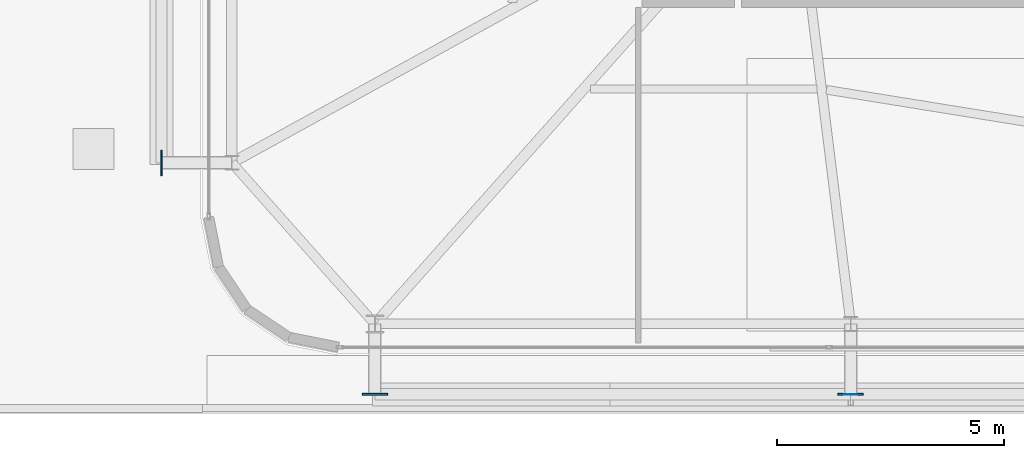
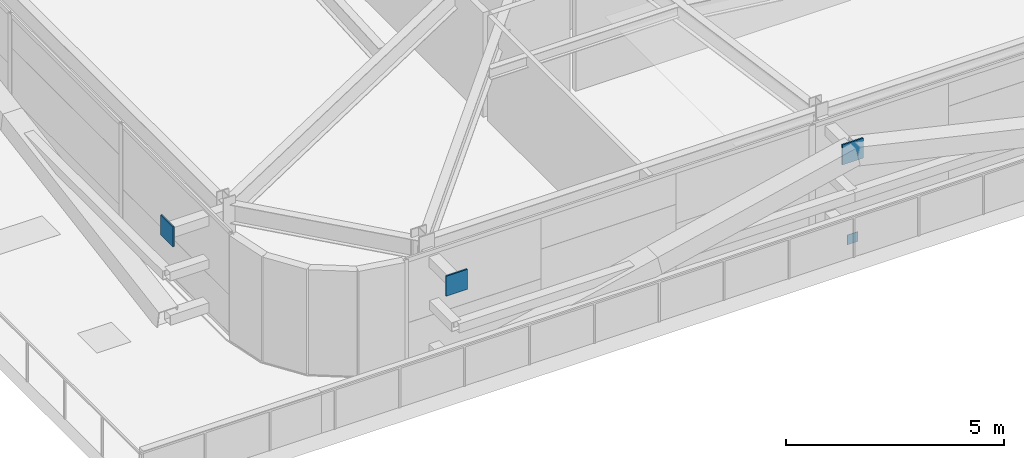
# One storey, part 41 of 56: 4 plates.
"""IFC4 building model written with IfcOpenShell, lengths in metres."""

from ifc_helpers import new_model, si_unit, direction, frame, origin, origin_2d, place, context, subcontext, project, spatial, rectangle, extrude, source, transform, mapped, material, layer, layer_set, type_object, element, save


model = new_model("IFC4")

# Units and contexts
model_context = context("Model", 3, precision=1e-05, world=origin(), true_north=direction((0.0, 1.0)))
body_context = subcontext(model_context, "Body", "Model", "MODEL_VIEW")
ifc_project = project(units=[si_unit("LENGTHUNIT", "METRE"), si_unit("AREAUNIT", "SQUARE_METRE"), si_unit("VOLUMEUNIT", "CUBIC_METRE"), si_unit("PLANEANGLEUNIT", "RADIAN"), si_unit("MASSUNIT", "GRAM", prefix="KILO")], contexts=[model_context])

# Site, building, storey
site_placement = place(None, origin())
site = spatial("IfcSite", under=ifc_project, at=site_placement, CompositionType="ELEMENT")
building_placement = place(site_placement, origin())
building = spatial("IfcBuilding", under=site, at=building_placement, Name="Taldren Reach Tower", CompositionType="ELEMENT")
storey_placement = place(building_placement, frame((0.0, 0.0, 16.800048828125)))
storey = spatial("IfcBuildingStorey", under=building, at=storey_placement, Name="L04", CompositionType="ELEMENT", Elevation=16.800048828125)

# Plates
ifc_material = material(Name="Steel Gr 450 (C450L0)", Category="steel")
ifc_layer_1 = layer(ifc_material, 0.0400390625)
ifc_layer_set_1 = layer_set([ifc_layer_1], Name="Steel Gr 450 (C450L0)")
plate_type_1 = type_object("IfcPlateType", Name="PL-GUSSET-40", PredefinedType="SHEET", material=ifc_layer_set_1)
shared_shape_1 = source(origin(), body_context, "Body", "SweptSolid", [
    extrude(rectangle(XDim=0.56005859375, YDim=0.0400390625, at=origin_2d()), origin(), (0.0, 0.0, 1.0), 0.56005859375),
])
for number, where, z_axis, x_axis, name in (
    (1, (8.800048828125, 0.60009765625, 2.369873046875), (0.0, 0.0, 1.0), (1.0, 0.0, 0.0), "Exoskeleton star-node gusset plate B1-S1 L04"),
    (2, (19.280029296875, 0.60009765625, 2.369873046875), (0.0, 0.0, 1.0), (1.0, 0.0, 0.0), "Exoskeleton star-node gusset plate B1-S2 L04"),
    (3, (4.10009765625, 5.699951171875, 2.369873046875), (0.0, 0.0, 1.0), (0.0, 1.0, 0.0), "Exoskeleton star-node gusset plate B1-W1 L04"),
):
    element("IfcPlate", number, at=place(storey_placement, frame(where, z_axis=z_axis, x_axis=x_axis)), inside=storey, type_object=plate_type_1, Name=name, PredefinedType="SHEET", context=body_context, shape_type="MappedRepresentation", body=[
        mapped(shared_shape_1, transform((0.0, 0.0, 0.0), scale=1.0)),
    ])
ifc_layer_2 = layer(ifc_material, 0.011962890625)
ifc_layer_set_2 = layer_set([ifc_layer_2], Name="Steel Gr 450 (C450L0)")
plate_type_2 = type_object("IfcPlateType", Name="PL-CAP-275", PredefinedType="SHEET", material=ifc_layer_set_2)
shared_shape_2 = source(origin(), body_context, "Body", "SweptSolid", [
    extrude(rectangle(XDim=0.27490234375, YDim=0.011962890625, at=origin_2d()), origin(), (0.0, 0.0, 1.0), 0.27490234375),
])
plate_placement = place(storey_placement, frame((19.280029296875, 0.593994140625, 0.08251953125), z_axis=(0.0, 0.0, 1.0), x_axis=(1.0, 0.0, 0.0)))
element("IfcPlate", 4, at=plate_placement, inside=storey, type_object=plate_type_2, Name="Tie strut end cap plate B1-S2 L04", PredefinedType="SHEET", context=body_context, shape_type="MappedRepresentation", body=[
    mapped(shared_shape_2, transform((0.0, 0.0, 0.0), scale=1.0)),
])

save(model, "model.ifc")
